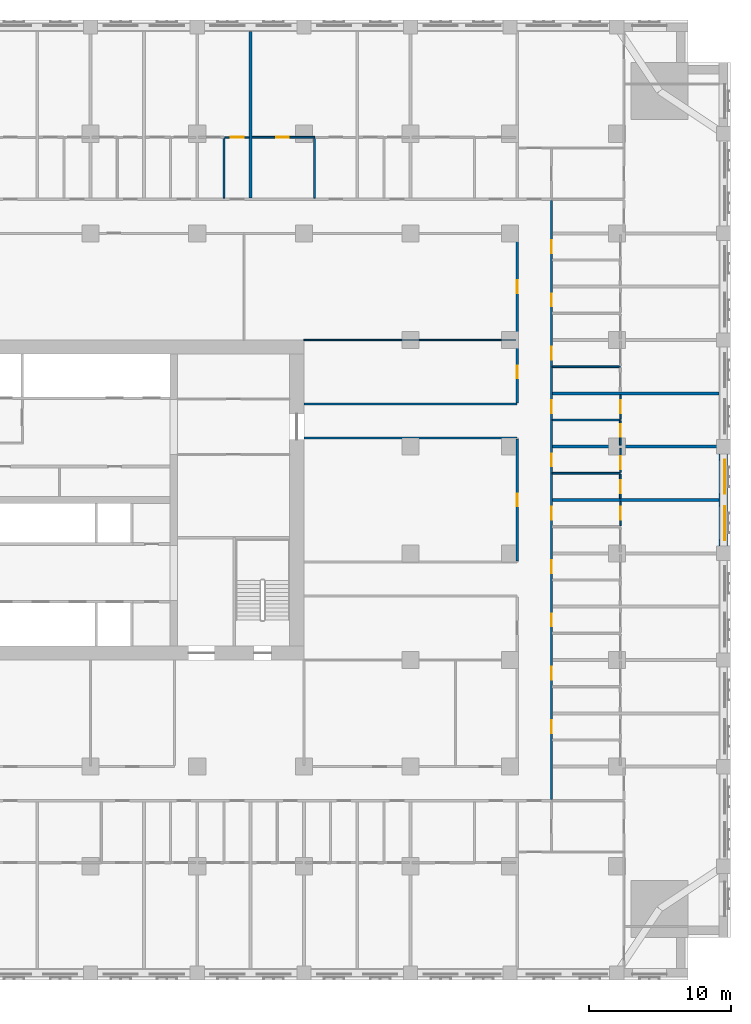
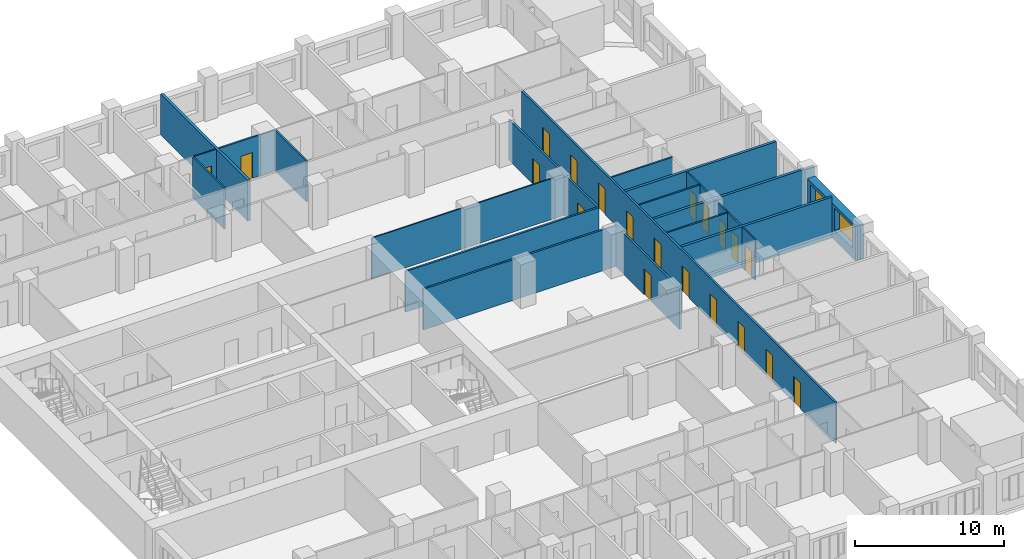
# One storey, part 10 of 15: 23 walls, 20 doors, 2 windows, 22 openings.
"""IFC4 building model written with IfcOpenShell, lengths in metres."""

import ifcopenshell
import ifcopenshell.guid

model = None  # the IFC model being written
_history = None  # IfcOwnerHistory: only IFC2X3 demands one
_inside = {}  # id of a spatial element -> (the spatial element, [elements in it])
_under = {}  # id of a project, library or spatial element -> (it, [spatial elements below it])
_declared = {}  # id of a project -> (the project, [libraries it declares])
_typed = {}  # id of a type object -> (the type object, [elements of that type])
_made_of = {}  # id of a material, layer set ... -> (it, [elements and type objects made of it])


def new_model(schema):
    """Start an empty IFC model of exactly this schema.

    Asked for "IFC4X3", IfcOpenShell would pick the latest addendum, in which some entities
    have other attributes; the version numbers below select the first issue.
    IFC2X3 requires an IfcOwnerHistory on every rooted entity: one is made here for all.
    """
    global model, _history
    if schema == "IFC4X3":
        model = ifcopenshell.file(schema_version=(4, 3, 0, 0))
    else:
        model = ifcopenshell.file(schema=schema)
    _inside.clear()
    _under.clear()
    _declared.clear()
    _typed.clear()
    _made_of.clear()
    _history = None
    if model.schema == "IFC2X3":
        org = make("IfcOrganization", Name="unknown")
        user = make(
            "IfcPersonAndOrganization",
            ThePerson=make("IfcPerson", FamilyName="unknown"),
            TheOrganization=org,
        )
        app = make(
            "IfcApplication",
            ApplicationDeveloper=org,
            Version="unknown",
            ApplicationFullName="unknown",
            ApplicationIdentifier="unknown",
        )
        _history = make(
            "IfcOwnerHistory",
            OwningUser=user,
            OwningApplication=app,
            ChangeAction="ADDED",
            CreationDate=0,
        )
    return model


def make(cls, **values):
    """One entity of the class cls with the attributes given. An attribute that is None is left unset."""
    return model.create_entity(
        cls, **{name: value for name, value in values.items() if value is not None}
    )


def rooted(cls, **values):
    """An entity with a GlobalId (a new one), such as an element, a storey or a relation."""
    return make(cls, GlobalId=ifcopenshell.guid.new(), OwnerHistory=_history, **values)


def si_unit(unit_type, name, prefix=None):
    """IfcSIUnit, for example si_unit("LENGTHUNIT", "METRE", prefix="MILLI")."""
    return make("IfcSIUnit", UnitType=unit_type, Prefix=prefix, Name=name)


def assignment(units):
    """IfcUnitAssignment: the units of a project."""
    return None if units is None else make("IfcUnitAssignment", Units=units)


def point(xyz):
    """IfcCartesianPoint."""
    return None if xyz is None else make("IfcCartesianPoint", Coordinates=xyz)


def direction(xyz):
    """IfcDirection."""
    return None if xyz is None else make("IfcDirection", DirectionRatios=xyz)


def frame(location, z_axis=None, x_axis=None):
    """IfcAxis2Placement3D, a coordinate frame: its origin and axes. An axis left out is left unset."""
    return make(
        "IfcAxis2Placement3D",
        Location=point(location),
        Axis=direction(z_axis),
        RefDirection=direction(x_axis),
    )


def frame_2d(location, x_axis=None):
    """IfcAxis2Placement2D, a coordinate frame in the plane: its origin and x axis."""
    return make(
        "IfcAxis2Placement2D", Location=point(location), RefDirection=direction(x_axis)
    )


def origin():
    """The frame at (0, 0, 0) with its axes left unset."""
    return frame((0.0, 0.0, 0.0))


def place(relative_to, where):
    """IfcLocalPlacement: puts the frame where relative to a parent placement (None: the world)."""
    return make(
        "IfcLocalPlacement", PlacementRelTo=relative_to, RelativePlacement=where
    )


def context(
    kind, dimensions, precision=None, world=None, true_north=None, identifier=None
):
    """IfcGeometricRepresentationContext, for example the 3D "Model" context."""
    return make(
        "IfcGeometricRepresentationContext",
        ContextIdentifier=identifier,
        ContextType=kind,
        CoordinateSpaceDimension=dimensions,
        Precision=precision,
        WorldCoordinateSystem=world,
        TrueNorth=true_north,
    )


def subcontext(parent, identifier, kind, view, scale=None):
    """IfcGeometricRepresentationSubContext, for example "Body" below "Model"."""
    return make(
        "IfcGeometricRepresentationSubContext",
        ContextIdentifier=identifier,
        ContextType=kind,
        ParentContext=parent,
        TargetScale=scale,
        TargetView=view,
    )


def project(units=None, contexts=None):
    """IfcProject with its units and contexts."""
    return rooted(
        "IfcProject",
        Name="project",
        RepresentationContexts=contexts,
        UnitsInContext=assignment(units),
    )


def spatial(cls, under=None, at=None, **own):
    """A site, building, storey or space (cls), placed at a placement, below another one or the project."""
    s = rooted(cls, ObjectPlacement=at, **own)
    if under is not None:
        _under.setdefault(under.id(), (under, []))[1].append(s)
    return s


def profile(cls, at=None, kind="AREA", **sizes):
    """A parametric profile (cls). Its sizes go by their IFC names, for example OverallWidth=200.0."""
    return make(cls, ProfileType=kind, Position=at, **sizes)


def rectangle(**sizes):
    """IfcRectangleProfileDef."""
    return profile("IfcRectangleProfileDef", **sizes)


def extrude(swept, where, along, depth):
    """IfcExtrudedAreaSolid: the profile swept, set in the frame where, extruded along a direction by depth."""
    return make(
        "IfcExtrudedAreaSolid",
        SweptArea=swept,
        Position=where,
        ExtrudedDirection=direction(along),
        Depth=depth,
    )


def shape(context_of_items, identifier, shape_type, items):
    """IfcShapeRepresentation: the items that make up one representation, for example the "Body"."""
    return make(
        "IfcShapeRepresentation",
        ContextOfItems=context_of_items,
        RepresentationIdentifier=identifier,
        RepresentationType=shape_type,
        Items=items,
    )


def material(Name=None, Category=None):
    """IfcMaterial."""
    return make("IfcMaterial", Name=Name, Category=Category)


def layer(
    of_material, thickness, ventilated=None, Name=None, Category=None, Priority=None
):
    """IfcMaterialLayer: one layer of a wall or slab, of a material (None: an air gap)."""
    return make(
        "IfcMaterialLayer",
        Material=of_material,
        LayerThickness=thickness,
        IsVentilated=ventilated,
        Name=Name,
        Category=Category,
        Priority=Priority,
    )


def layer_set(layers, Name=None):
    """IfcMaterialLayerSet."""
    return make("IfcMaterialLayerSet", MaterialLayers=layers, LayerSetName=Name)


def made_of(thing, what):
    """Note that an element or type object is made of a material, layer set ...; save() writes the relation."""
    if what is not None:
        _made_of.setdefault(what.id(), (what, []))[1].append(thing)
    return thing


def type_object(cls, material=None, **own):
    """A type object (cls), such as IfcWallType, which elements share."""
    return made_of(rooted(cls, **own), material)


def element(
    cls,
    number,
    at=None,
    inside=None,
    cuts=None,
    type_object=None,
    material=None,
    context=None,
    identifier="Body",
    shape_type=None,
    held_by="IfcProductDefinitionShape",
    body=None,
    shapes=None,
    **own,
):
    """One element of the class cls, such as IfcWall. Its Tag is "e" and its number.

    at: its placement. inside: the storey or other place that contains it. cuts: it is an
    opening in that element (IfcRelVoidsElement). A single representation is given by context,
    identifier, shape_type and body (its items); several are given by shapes. held_by: the class
    of the entity that holds the representations. save() writes the other relations.
    """
    e = rooted(cls, Tag="e%d" % number, ObjectPlacement=at, **own)
    if body is not None:
        shapes = [shape(context, identifier, shape_type, body)]
    if shapes is not None:
        e.Representation = make(held_by, Representations=shapes)
    if inside is not None:
        _inside.setdefault(inside.id(), (inside, []))[1].append(e)
    if cuts is not None:
        rooted(
            "IfcRelVoidsElement", RelatingBuildingElement=cuts, RelatedOpeningElement=e
        )
    if type_object is not None:
        _typed.setdefault(type_object.id(), (type_object, []))[1].append(e)
    return made_of(e, material)


def fill(opening, filler):
    """IfcRelFillsElement: the door or window that sits in an opening."""
    return rooted(
        "IfcRelFillsElement",
        RelatingOpeningElement=opening,
        RelatedBuildingElement=filler,
    )


def aggregate(whole, parts):
    """IfcRelAggregates: a whole, such as a stair, and the parts it consists of."""
    return rooted("IfcRelAggregates", RelatingObject=whole, RelatedObjects=parts)


def save(model, path):
    """Write the relations noted so far, then the file.

    IfcRelAggregates (storeys below a building ...), IfcRelContainedInSpatialStructure (elements
    in a storey), IfcRelDefinesByType, IfcRelAssociatesMaterial and IfcRelDeclares: one each for
    every whole, place, type object, material and project.
    """
    for whole, parts in _under.values():
        aggregate(whole, parts)
    for where, things in _inside.values():
        rooted(
            "IfcRelContainedInSpatialStructure",
            RelatedElements=things,
            RelatingStructure=where,
        )
    for kind, things in _typed.values():
        rooted("IfcRelDefinesByType", RelatedObjects=things, RelatingType=kind)
    for what, things in _made_of.values():
        rooted("IfcRelAssociatesMaterial", RelatedObjects=things, RelatingMaterial=what)
    for by, libraries in _declared.values():
        rooted("IfcRelDeclares", RelatingContext=by, RelatedDefinitions=libraries)
    model.write(path)


model = new_model("IFC4")

# Units and contexts
model_context = context("Model", 3, precision=1e-05, world=origin(), true_north=direction((0.0, 1.0)))
body_context = subcontext(model_context, "Body", "Model", "MODEL_VIEW")
ifc_project = project(units=[si_unit("LENGTHUNIT", "METRE"), si_unit("AREAUNIT", "SQUARE_METRE"), si_unit("VOLUMEUNIT", "CUBIC_METRE"), si_unit("PLANEANGLEUNIT", "RADIAN"), si_unit("MASSUNIT", "GRAM", prefix="KILO")], contexts=[model_context])

# Site, building, storey
site_placement = place(None, origin())
site = spatial("IfcSite", under=ifc_project, at=site_placement, CompositionType="ELEMENT")
building_placement = place(site_placement, origin())
building = spatial("IfcBuilding", under=site, at=building_placement, Name="Tamorin Gate", CompositionType="ELEMENT")
storey_placement = place(building_placement, frame((0.0, 0.0, 62.800048828125)))
storey = spatial("IfcBuildingStorey", under=building, at=storey_placement, Name="L14", CompositionType="ELEMENT", Elevation=62.800048828125)

# Wall, openings, windows
ifc_material_1 = material(Name="Precast concrete C40/50", Category="concrete")
ifc_layer_1 = layer(ifc_material_1, 0.60009765625)
ifc_layer_set_1 = layer_set([ifc_layer_1], Name="Precast concrete C40/50")
wall_type_1 = type_object("IfcWallType", Name="Board-marked concrete facade panel 600", PredefinedType="SOLIDWALL", material=ifc_layer_set_1)
wall_1_placement = place(storey_placement, frame((89.5, 68.0, 0.0), z_axis=(0.0, 0.0, 1.0), x_axis=(0.0, 1.0, 0.0)))
wall_1 = element("IfcWall", 1, at=wall_1_placement, inside=storey, type_object=wall_type_1, Name="Facade panel", PredefinedType="SOLIDWALL", context=body_context, shape_type="SweptSolid", body=[
    extrude(rectangle(XDim=6.5, YDim=0.60009765625, at=frame_2d((3.25, 0.0))), origin(), (0.0, 0.0, 1.0), 2.849853515625),
])
opening_1_placement = place(wall_1_placement, frame((0.425048828125, 0.0, 0.800048828125)))
opening_1 = element("IfcOpeningElement", 2, at=opening_1_placement, cuts=wall_1, Name="Opening WN1", PredefinedType="OPENING", context=body_context, shape_type="SweptSolid", body=[
    extrude(rectangle(XDim=2.39990234375, YDim=1.800048828125, at=frame_2d((1.199951171875, 0.89990234375))), frame((0.0, 0.31005859375, 0.0), z_axis=(0.0, -1.0, 0.0), x_axis=(1.0, 0.0, 0.0)), (0.0, 0.0, 1.0), 0.6201171875),
])
opening_2_placement = place(wall_1_placement, frame((3.675048828125, 0.0, 0.800048828125)))
opening_2 = element("IfcOpeningElement", 3, at=opening_2_placement, cuts=wall_1, Name="Opening WN1", PredefinedType="OPENING", context=body_context, shape_type="SweptSolid", body=[
    extrude(rectangle(XDim=2.39990234375, YDim=1.800048828125, at=frame_2d((1.199951171875, 0.89990234375))), frame((0.0, 0.31005859375, 0.0), z_axis=(0.0, -1.0, 0.0), x_axis=(1.0, 0.0, 0.0)), (0.0, 0.0, 1.0), 0.6201171875),
])
ifc_material_2 = material(Name="Clear glass in aluminium frame", Category="aluminium")
window_type = type_object("IfcWindowType", Name="Deep-set window 2400x1800", PartitioningType="SINGLE_PANEL", PredefinedType="WINDOW", material=ifc_material_2)
window_1_placement = place(opening_1_placement, origin())
window_1 = element("IfcWindow", 4, at=window_1_placement, inside=storey, type_object=window_type, Name="Deep-set window", OverallHeight=1.800048828125, OverallWidth=2.39990234375, PartitioningType="SINGLE_PANEL", PredefinedType="WINDOW", context=body_context, shape_type="SweptSolid", body=[
    extrude(rectangle(XDim=2.39990234375, YDim=1.800048828125, at=frame_2d((1.199951171875, 0.89990234375))), frame((0.0, -0.070068359375, 0.0), z_axis=(0.0, -1.0, 0.0), x_axis=(1.0, 0.0, 0.0)), (0.0, 0.0, 1.0), 0.06005859375),
])
fill(opening_1, window_1)
window_2_placement = place(opening_2_placement, origin())
window_2 = element("IfcWindow", 5, at=window_2_placement, inside=storey, type_object=window_type, Name="Deep-set window", OverallHeight=1.800048828125, OverallWidth=2.39990234375, PartitioningType="SINGLE_PANEL", PredefinedType="WINDOW", context=body_context, shape_type="SweptSolid", body=[
    extrude(rectangle(XDim=2.39990234375, YDim=1.800048828125, at=frame_2d((1.199951171875, 0.89990234375))), frame((0.0, -0.070068359375, 0.0), z_axis=(0.0, -1.0, 0.0), x_axis=(1.0, 0.0, 0.0)), (0.0, 0.0, 1.0), 0.06005859375),
])
fill(opening_2, window_2)

# Wall, opening, door
ifc_material_3 = material(Name="Gypsum board partition")
ifc_layer_2 = layer(ifc_material_3, 0.14990234375)
ifc_layer_set_2 = layer_set([ifc_layer_2], Name="Corridor wall 150")
wall_type_2 = type_object("IfcWallType", Name="Corridor wall 150", PredefinedType="PARTITIONING", material=ifc_layer_set_2)
wall_2_placement = place(storey_placement, frame((75.0, 66.97509765625, 0.0), z_axis=(0.0, 0.0, 1.0), x_axis=(0.0, 1.0, 0.0)))
wall_2 = element("IfcWall", 6, at=wall_2_placement, inside=storey, type_object=wall_type_2, Name="Corridor wall 150", PredefinedType="PARTITIONING", context=body_context, shape_type="SweptSolid", body=[
    extrude(rectangle(XDim=8.5498046875, YDim=0.14990234375, at=frame_2d((4.27490234375, 0.0))), origin(), (0.0, 0.0, 1.0), 3.349853515625),
])
opening_3_placement = place(wall_2_placement, frame((3.824951171875, 0.0, 0.0)))
opening_3 = element("IfcOpeningElement", 7, at=opening_3_placement, cuts=wall_2, Name="Opening DH1101", PredefinedType="OPENING", context=body_context, shape_type="SweptSolid", body=[
    extrude(rectangle(XDim=0.89990234375, YDim=2.10009765625, at=frame_2d((0.449951171875, 1.050048828125))), frame((0.0, 0.0849609375, 0.0), z_axis=(0.0, -1.0, 0.0), x_axis=(1.0, 0.0, 0.0)), (0.0, 0.0, 1.0), 0.169921875),
])
ifc_material_4 = material(Name="Timber door leaf", Category="wood")
door_type_1 = type_object("IfcDoorType", Name="Door 900 x 2100 FD30S", OperationType="NOTDEFINED", PredefinedType="DOOR", material=ifc_material_4)
door_1_placement = place(opening_3_placement, origin())
door_1 = element("IfcDoor", 8, at=door_1_placement, inside=storey, type_object=door_type_1, Name="Door DH1101", OperationType="SINGLE_SWING_LEFT", OverallHeight=2.10009765625, OverallWidth=0.89990234375, PredefinedType="DOOR", context=body_context, shape_type="SweptSolid", body=[
    extrude(rectangle(XDim=0.89990234375, YDim=2.10009765625, at=frame_2d((0.449951171875, 1.050048828125))), frame((0.0, 0.02490234375, 0.0), z_axis=(0.0, -1.0, 0.0), x_axis=(1.0, 0.0, 0.0)), (0.0, 0.0, 1.0), 0.050048828125),
])
fill(opening_3, door_1)

# Wall, openings, doors
wall_3_placement = place(storey_placement, frame((75.0, 78.074951171875, 0.0), z_axis=(0.0, 0.0, 1.0), x_axis=(0.0, 1.0, 0.0)))
wall_3 = element("IfcWall", 9, at=wall_3_placement, inside=storey, type_object=wall_type_2, Name="Corridor wall 150", PredefinedType="PARTITIONING", context=body_context, shape_type="SweptSolid", body=[
    extrude(rectangle(XDim=11.85009765625, YDim=0.14990234375, at=frame_2d((5.925048828125, 0.0))), origin(), (0.0, 0.0, 1.0), 3.349853515625),
])
opening_4_placement = place(wall_3_placement, frame((7.72509765625, 0.0, 0.0)))
opening_4 = element("IfcOpeningElement", 10, at=opening_4_placement, cuts=wall_3, Name="Opening DH1099", PredefinedType="OPENING", context=body_context, shape_type="SweptSolid", body=[
    extrude(rectangle(XDim=0.89990234375, YDim=2.10009765625, at=frame_2d((0.449951171875, 1.050048828125))), frame((0.0, 0.0849609375, 0.0), z_axis=(0.0, -1.0, 0.0), x_axis=(1.0, 0.0, 0.0)), (0.0, 0.0, 1.0), 0.169921875),
])
opening_5_placement = place(wall_3_placement, frame((1.72509765625, 0.0, 0.0)))
opening_5 = element("IfcOpeningElement", 11, at=opening_5_placement, cuts=wall_3, Name="Opening DH1102", PredefinedType="OPENING", context=body_context, shape_type="SweptSolid", body=[
    extrude(rectangle(XDim=0.89990234375, YDim=2.10009765625, at=frame_2d((0.449951171875, 1.050048828125))), frame((0.0, 0.0849609375, 0.0), z_axis=(0.0, -1.0, 0.0), x_axis=(1.0, 0.0, 0.0)), (0.0, 0.0, 1.0), 0.169921875),
])
door_2_placement = place(opening_4_placement, origin())
door_2 = element("IfcDoor", 12, at=door_2_placement, inside=storey, type_object=door_type_1, Name="Door DH1099", OperationType="SINGLE_SWING_LEFT", OverallHeight=2.10009765625, OverallWidth=0.89990234375, PredefinedType="DOOR", context=body_context, shape_type="SweptSolid", body=[
    extrude(rectangle(XDim=0.89990234375, YDim=2.10009765625, at=frame_2d((0.449951171875, 1.050048828125))), frame((0.0, 0.02490234375, 0.0), z_axis=(0.0, -1.0, 0.0), x_axis=(1.0, 0.0, 0.0)), (0.0, 0.0, 1.0), 0.050048828125),
])
fill(opening_4, door_2)
door_3_placement = place(opening_5_placement, origin())
door_3 = element("IfcDoor", 13, at=door_3_placement, inside=storey, type_object=door_type_1, Name="Door DH1102", OperationType="SINGLE_SWING_LEFT", OverallHeight=2.10009765625, OverallWidth=0.89990234375, PredefinedType="DOOR", context=body_context, shape_type="SweptSolid", body=[
    extrude(rectangle(XDim=0.89990234375, YDim=2.10009765625, at=frame_2d((0.449951171875, 1.050048828125))), frame((0.0, 0.02490234375, 0.0), z_axis=(0.0, -1.0, 0.0), x_axis=(1.0, 0.0, 0.0)), (0.0, 0.0, 1.0), 0.050048828125),
])
fill(opening_5, door_3)

wall_4_placement = place(storey_placement, frame((77.39990234375, 50.175048828125, 0.0), z_axis=(0.0, 0.0, 1.0), x_axis=(0.0, 1.0, 0.0)))
wall_4 = element("IfcWall", 14, at=wall_4_placement, inside=storey, type_object=wall_type_2, Name="Corridor wall 150", PredefinedType="PARTITIONING", context=body_context, shape_type="SweptSolid", body=[
    extrude(rectangle(XDim=42.14990234375, YDim=0.14990234375, at=frame_2d((21.074951171875, 0.0))), origin(), (0.0, 0.0, 1.0), 3.349853515625),
])
opening_6_placement = place(wall_4_placement, frame((4.6875, 0.0, 0.0)))
opening_6 = element("IfcOpeningElement", 15, at=opening_6_placement, cuts=wall_4, Name="Opening DH1052", PredefinedType="OPENING", context=body_context, shape_type="SweptSolid", body=[
    extrude(rectangle(XDim=0.89990234375, YDim=2.10009765625, at=frame_2d((0.449951171875, 1.050048828125))), frame((0.0, 0.0849609375, 0.0), z_axis=(0.0, -1.0, 0.0), x_axis=(1.0, 0.0, 0.0)), (0.0, 0.0, 1.0), 0.169921875),
])
opening_7_placement = place(wall_4_placement, frame((8.4375, 0.0, 0.0)))
opening_7 = element("IfcOpeningElement", 16, at=opening_7_placement, cuts=wall_4, Name="Opening DH1055", PredefinedType="OPENING", context=body_context, shape_type="SweptSolid", body=[
    extrude(rectangle(XDim=0.89990234375, YDim=2.10009765625, at=frame_2d((0.449951171875, 1.050048828125))), frame((0.0, 0.0849609375, 0.0), z_axis=(0.0, -1.0, 0.0), x_axis=(1.0, 0.0, 0.0)), (0.0, 0.0, 1.0), 0.169921875),
])
opening_8_placement = place(wall_4_placement, frame((12.1875, 0.0, 0.0)))
opening_8 = element("IfcOpeningElement", 17, at=opening_8_placement, cuts=wall_4, Name="Opening DH1058", PredefinedType="OPENING", context=body_context, shape_type="SweptSolid", body=[
    extrude(rectangle(XDim=0.89990234375, YDim=2.10009765625, at=frame_2d((0.449951171875, 1.050048828125))), frame((0.0, 0.0849609375, 0.0), z_axis=(0.0, -1.0, 0.0), x_axis=(1.0, 0.0, 0.0)), (0.0, 0.0, 1.0), 0.169921875),
])
opening_9_placement = place(wall_4_placement, frame((15.9375, 0.0, 0.0)))
opening_9 = element("IfcOpeningElement", 18, at=opening_9_placement, cuts=wall_4, Name="Opening DH1061", PredefinedType="OPENING", context=body_context, shape_type="SweptSolid", body=[
    extrude(rectangle(XDim=0.89990234375, YDim=2.10009765625, at=frame_2d((0.449951171875, 1.050048828125))), frame((0.0, 0.0849609375, 0.0), z_axis=(0.0, -1.0, 0.0), x_axis=(1.0, 0.0, 0.0)), (0.0, 0.0, 1.0), 0.169921875),
])
opening_10_placement = place(wall_4_placement, frame((19.6875, 0.0, 0.0)))
opening_10 = element("IfcOpeningElement", 19, at=opening_10_placement, cuts=wall_4, Name="Opening DH1064", PredefinedType="OPENING", context=body_context, shape_type="SweptSolid", body=[
    extrude(rectangle(XDim=0.89990234375, YDim=2.10009765625, at=frame_2d((0.449951171875, 1.050048828125))), frame((0.0, 0.0849609375, 0.0), z_axis=(0.0, -1.0, 0.0), x_axis=(1.0, 0.0, 0.0)), (0.0, 0.0, 1.0), 0.169921875),
])
opening_11_placement = place(wall_4_placement, frame((23.4375, 0.0, 0.0)))
opening_11 = element("IfcOpeningElement", 20, at=opening_11_placement, cuts=wall_4, Name="Opening DH1067", PredefinedType="OPENING", context=body_context, shape_type="SweptSolid", body=[
    extrude(rectangle(XDim=0.89990234375, YDim=2.10009765625, at=frame_2d((0.449951171875, 1.050048828125))), frame((0.0, 0.0849609375, 0.0), z_axis=(0.0, -1.0, 0.0), x_axis=(1.0, 0.0, 0.0)), (0.0, 0.0, 1.0), 0.169921875),
])
opening_12_placement = place(wall_4_placement, frame((27.1875, 0.0, 0.0)))
opening_12 = element("IfcOpeningElement", 21, at=opening_12_placement, cuts=wall_4, Name="Opening DH1070", PredefinedType="OPENING", context=body_context, shape_type="SweptSolid", body=[
    extrude(rectangle(XDim=0.89990234375, YDim=2.10009765625, at=frame_2d((0.449951171875, 1.050048828125))), frame((0.0, 0.0849609375, 0.0), z_axis=(0.0, -1.0, 0.0), x_axis=(1.0, 0.0, 0.0)), (0.0, 0.0, 1.0), 0.169921875),
])
opening_13_placement = place(wall_4_placement, frame((30.9375, 0.0, 0.0)))
opening_13 = element("IfcOpeningElement", 22, at=opening_13_placement, cuts=wall_4, Name="Opening DH1073", PredefinedType="OPENING", context=body_context, shape_type="SweptSolid", body=[
    extrude(rectangle(XDim=0.89990234375, YDim=2.10009765625, at=frame_2d((0.449951171875, 1.050048828125))), frame((0.0, 0.0849609375, 0.0), z_axis=(0.0, -1.0, 0.0), x_axis=(1.0, 0.0, 0.0)), (0.0, 0.0, 1.0), 0.169921875),
])
opening_14_placement = place(wall_4_placement, frame((34.6875, 0.0, 0.0)))
opening_14 = element("IfcOpeningElement", 23, at=opening_14_placement, cuts=wall_4, Name="Opening DH1076", PredefinedType="OPENING", context=body_context, shape_type="SweptSolid", body=[
    extrude(rectangle(XDim=0.89990234375, YDim=2.10009765625, at=frame_2d((0.449951171875, 1.050048828125))), frame((0.0, 0.0849609375, 0.0), z_axis=(0.0, -1.0, 0.0), x_axis=(1.0, 0.0, 0.0)), (0.0, 0.0, 1.0), 0.169921875),
])
opening_15_placement = place(wall_4_placement, frame((38.4375, 0.0, 0.0)))
opening_15 = element("IfcOpeningElement", 24, at=opening_15_placement, cuts=wall_4, Name="Opening DH1079", PredefinedType="OPENING", context=body_context, shape_type="SweptSolid", body=[
    extrude(rectangle(XDim=0.89990234375, YDim=2.10009765625, at=frame_2d((0.449951171875, 1.050048828125))), frame((0.0, 0.0849609375, 0.0), z_axis=(0.0, -1.0, 0.0), x_axis=(1.0, 0.0, 0.0)), (0.0, 0.0, 1.0), 0.169921875),
])
door_4_placement = place(opening_6_placement, origin())
door_4 = element("IfcDoor", 25, at=door_4_placement, inside=storey, type_object=door_type_1, Name="Door DH1052", OperationType="SINGLE_SWING_RIGHT", OverallHeight=2.10009765625, OverallWidth=0.89990234375, PredefinedType="DOOR", context=body_context, shape_type="SweptSolid", body=[
    extrude(rectangle(XDim=0.89990234375, YDim=2.10009765625, at=frame_2d((0.449951171875, 1.050048828125))), frame((0.0, 0.02490234375, 0.0), z_axis=(0.0, -1.0, 0.0), x_axis=(1.0, 0.0, 0.0)), (0.0, 0.0, 1.0), 0.050048828125),
])
fill(opening_6, door_4)
door_5_placement = place(opening_7_placement, origin())
door_5 = element("IfcDoor", 26, at=door_5_placement, inside=storey, type_object=door_type_1, Name="Door DH1055", OperationType="SINGLE_SWING_RIGHT", OverallHeight=2.10009765625, OverallWidth=0.89990234375, PredefinedType="DOOR", context=body_context, shape_type="SweptSolid", body=[
    extrude(rectangle(XDim=0.89990234375, YDim=2.10009765625, at=frame_2d((0.449951171875, 1.050048828125))), frame((0.0, 0.02490234375, 0.0), z_axis=(0.0, -1.0, 0.0), x_axis=(1.0, 0.0, 0.0)), (0.0, 0.0, 1.0), 0.050048828125),
])
fill(opening_7, door_5)
door_6_placement = place(opening_8_placement, origin())
door_6 = element("IfcDoor", 27, at=door_6_placement, inside=storey, type_object=door_type_1, Name="Door DH1058", OperationType="SINGLE_SWING_RIGHT", OverallHeight=2.10009765625, OverallWidth=0.89990234375, PredefinedType="DOOR", context=body_context, shape_type="SweptSolid", body=[
    extrude(rectangle(XDim=0.89990234375, YDim=2.10009765625, at=frame_2d((0.449951171875, 1.050048828125))), frame((0.0, 0.02490234375, 0.0), z_axis=(0.0, -1.0, 0.0), x_axis=(1.0, 0.0, 0.0)), (0.0, 0.0, 1.0), 0.050048828125),
])
fill(opening_8, door_6)
door_7_placement = place(opening_9_placement, origin())
door_7 = element("IfcDoor", 28, at=door_7_placement, inside=storey, type_object=door_type_1, Name="Door DH1061", OperationType="SINGLE_SWING_RIGHT", OverallHeight=2.10009765625, OverallWidth=0.89990234375, PredefinedType="DOOR", context=body_context, shape_type="SweptSolid", body=[
    extrude(rectangle(XDim=0.89990234375, YDim=2.10009765625, at=frame_2d((0.449951171875, 1.050048828125))), frame((0.0, 0.02490234375, 0.0), z_axis=(0.0, -1.0, 0.0), x_axis=(1.0, 0.0, 0.0)), (0.0, 0.0, 1.0), 0.050048828125),
])
fill(opening_9, door_7)
door_8_placement = place(opening_10_placement, origin())
door_8 = element("IfcDoor", 29, at=door_8_placement, inside=storey, type_object=door_type_1, Name="Door DH1064", OperationType="SINGLE_SWING_RIGHT", OverallHeight=2.10009765625, OverallWidth=0.89990234375, PredefinedType="DOOR", context=body_context, shape_type="SweptSolid", body=[
    extrude(rectangle(XDim=0.89990234375, YDim=2.10009765625, at=frame_2d((0.449951171875, 1.050048828125))), frame((0.0, 0.02490234375, 0.0), z_axis=(0.0, -1.0, 0.0), x_axis=(1.0, 0.0, 0.0)), (0.0, 0.0, 1.0), 0.050048828125),
])
fill(opening_10, door_8)
door_9_placement = place(opening_11_placement, origin())
door_9 = element("IfcDoor", 30, at=door_9_placement, inside=storey, type_object=door_type_1, Name="Door DH1067", OperationType="SINGLE_SWING_RIGHT", OverallHeight=2.10009765625, OverallWidth=0.89990234375, PredefinedType="DOOR", context=body_context, shape_type="SweptSolid", body=[
    extrude(rectangle(XDim=0.89990234375, YDim=2.10009765625, at=frame_2d((0.449951171875, 1.050048828125))), frame((0.0, 0.02490234375, 0.0), z_axis=(0.0, -1.0, 0.0), x_axis=(1.0, 0.0, 0.0)), (0.0, 0.0, 1.0), 0.050048828125),
])
fill(opening_11, door_9)
door_10_placement = place(opening_12_placement, origin())
door_10 = element("IfcDoor", 31, at=door_10_placement, inside=storey, type_object=door_type_1, Name="Door DH1070", OperationType="SINGLE_SWING_RIGHT", OverallHeight=2.10009765625, OverallWidth=0.89990234375, PredefinedType="DOOR", context=body_context, shape_type="SweptSolid", body=[
    extrude(rectangle(XDim=0.89990234375, YDim=2.10009765625, at=frame_2d((0.449951171875, 1.050048828125))), frame((0.0, 0.02490234375, 0.0), z_axis=(0.0, -1.0, 0.0), x_axis=(1.0, 0.0, 0.0)), (0.0, 0.0, 1.0), 0.050048828125),
])
fill(opening_12, door_10)
door_11_placement = place(opening_13_placement, origin())
door_11 = element("IfcDoor", 32, at=door_11_placement, inside=storey, type_object=door_type_1, Name="Door DH1073", OperationType="SINGLE_SWING_RIGHT", OverallHeight=2.10009765625, OverallWidth=0.89990234375, PredefinedType="DOOR", context=body_context, shape_type="SweptSolid", body=[
    extrude(rectangle(XDim=0.89990234375, YDim=2.10009765625, at=frame_2d((0.449951171875, 1.050048828125))), frame((0.0, 0.02490234375, 0.0), z_axis=(0.0, -1.0, 0.0), x_axis=(1.0, 0.0, 0.0)), (0.0, 0.0, 1.0), 0.050048828125),
])
fill(opening_13, door_11)
door_12_placement = place(opening_14_placement, origin())
door_12 = element("IfcDoor", 33, at=door_12_placement, inside=storey, type_object=door_type_1, Name="Door DH1076", OperationType="SINGLE_SWING_RIGHT", OverallHeight=2.10009765625, OverallWidth=0.89990234375, PredefinedType="DOOR", context=body_context, shape_type="SweptSolid", body=[
    extrude(rectangle(XDim=0.89990234375, YDim=2.10009765625, at=frame_2d((0.449951171875, 1.050048828125))), frame((0.0, 0.02490234375, 0.0), z_axis=(0.0, -1.0, 0.0), x_axis=(1.0, 0.0, 0.0)), (0.0, 0.0, 1.0), 0.050048828125),
])
fill(opening_14, door_12)
door_13_placement = place(opening_15_placement, origin())
door_13 = element("IfcDoor", 34, at=door_13_placement, inside=storey, type_object=door_type_1, Name="Door DH1079", OperationType="SINGLE_SWING_RIGHT", OverallHeight=2.10009765625, OverallWidth=0.89990234375, PredefinedType="DOOR", context=body_context, shape_type="SweptSolid", body=[
    extrude(rectangle(XDim=0.89990234375, YDim=2.10009765625, at=frame_2d((0.449951171875, 1.050048828125))), frame((0.0, 0.02490234375, 0.0), z_axis=(0.0, -1.0, 0.0), x_axis=(1.0, 0.0, 0.0)), (0.0, 0.0, 1.0), 0.050048828125),
])
fill(opening_15, door_13)

# Walls
ifc_layer_3 = layer(ifc_material_3, 0.199951171875)
ifc_layer_set_3 = layer_set([ifc_layer_3], Name="Demising wall 200")
wall_type_3 = type_object("IfcWallType", Name="Demising wall 200", PredefinedType="PARTITIONING", material=ifc_layer_set_3)
wall_5_placement = place(storey_placement, frame((77.47509765625, 71.25, 0.0), z_axis=(0.0, 0.0, 1.0), x_axis=(1.0, 0.0, 0.0)))
element("IfcWall", 35, at=wall_5_placement, inside=storey, type_object=wall_type_3, Name="Demising wall 200", PredefinedType="PARTITIONING", context=body_context, shape_type="SweptSolid", body=[
    extrude(rectangle(XDim=11.71484375, YDim=0.199951171875, at=frame_2d((5.857421875, 0.0))), origin(), (0.0, 0.0, 1.0), 3.349853515625),
])
wall_6_placement = place(storey_placement, frame((77.47509765625, 75.0, 0.0), z_axis=(0.0, 0.0, 1.0), x_axis=(1.0, 0.0, 0.0)))
element("IfcWall", 36, at=wall_6_placement, inside=storey, type_object=wall_type_3, Name="Demising wall 200", PredefinedType="PARTITIONING", context=body_context, shape_type="SweptSolid", body=[
    extrude(rectangle(XDim=12.52490234375, YDim=0.199951171875, at=frame_2d((6.262451171875, 0.0))), origin(), (0.0, 0.0, 1.0), 3.349853515625),
])
for number, where, z_axis, x_axis, name in (
    (37, (77.47509765625, 78.75, 0.0), (0.0, 0.0, 1.0), (1.0, 0.0, 0.0), "Demising wall 200"),
    (38, (56.25, 92.47509765625, 0.0), (0.0, 0.0, 1.0), (0.0, 1.0, 0.0), "Demising wall 200"),
):
    element("IfcWall", number, at=place(storey_placement, frame(where, z_axis=z_axis, x_axis=x_axis)), inside=storey, type_object=wall_type_3, Name=name, PredefinedType="PARTITIONING", context=body_context, shape_type="SweptSolid", body=[
        extrude(rectangle(XDim=11.71484375, YDim=0.199951171875, at=frame_2d((5.857421875, 0.0))), origin(), (0.0, 0.0, 1.0), 3.349853515625),
    ])
ifc_layer_4 = layer(ifc_material_3, 0.14990234375)
ifc_layer_set_4 = layer_set([ifc_layer_4], Name="Lobby wall 150")
wall_type_4 = type_object("IfcWallType", Name="Lobby wall 150", PredefinedType="PARTITIONING", material=ifc_layer_set_4)
for number, where, z_axis, x_axis, name in (
    (39, (60.0, 75.60009765625, 0.0), (0.0, 0.0, 1.0), (1.0, 0.0, 0.0), "Lobby wall 150"),
    (40, (60.0, 78.0, 0.0), (0.0, 0.0, 1.0), (1.0, 0.0, 0.0), "Lobby wall 150"),
):
    element("IfcWall", number, at=place(storey_placement, frame(where, z_axis=z_axis, x_axis=x_axis)), inside=storey, type_object=wall_type_4, Name=name, PredefinedType="PARTITIONING", context=body_context, shape_type="SweptSolid", body=[
        extrude(rectangle(XDim=15.0, YDim=0.14990234375, at=frame_2d((7.5, 0.0))), origin(), (0.0, 0.0, 1.0), 3.349853515625),
    ])
ifc_layer_5 = layer(ifc_material_3, 0.10009765625)
ifc_layer_set_5 = layer_set([ifc_layer_5], Name="Room partition 100")
wall_type_5 = type_object("IfcWallType", Name="Room partition 100", PredefinedType="PARTITIONING", material=ifc_layer_set_5)
wall_7_placement = place(storey_placement, frame((60.0, 82.5, 0.0), z_axis=(0.0, 0.0, 1.0), x_axis=(1.0, 0.0, 0.0)))
element("IfcWall", 41, at=wall_7_placement, inside=storey, type_object=wall_type_5, Name="Room partition 100", PredefinedType="PARTITIONING", context=body_context, shape_type="SweptSolid", body=[
    extrude(rectangle(XDim=14.925048828125, YDim=0.10009765625, at=frame_2d((7.46240234375, 0.0))), origin(), (0.0, 0.0, 1.0), 3.349853515625),
])

# Wall, opening, door
wall_8_placement = place(storey_placement, frame((54.4375, 96.75, 0.0), z_axis=(0.0, 0.0, 1.0), x_axis=(1.0, 0.0, 0.0)))
wall_8 = element("IfcWall", 42, at=wall_8_placement, inside=storey, type_object=wall_type_5, Name="Room partition 100", PredefinedType="PARTITIONING", context=body_context, shape_type="SweptSolid", body=[
    extrude(rectangle(XDim=1.71240234375, YDim=0.10009765625, at=frame_2d((0.856201171875, 0.0))), origin(), (0.0, 0.0, 1.0), 3.349853515625),
])
opening_16_placement = place(wall_8_placement, frame((0.425048828125, 0.0, 0.0)))
opening_16 = element("IfcOpeningElement", 43, at=opening_16_placement, cuts=wall_8, Name="Opening DH1041", PredefinedType="OPENING", context=body_context, shape_type="SweptSolid", body=[
    extrude(rectangle(XDim=0.89990234375, YDim=2.10009765625, at=frame_2d((0.449951171875, 1.050048828125))), frame((0.0, 0.06005859375, 0.0), z_axis=(0.0, -1.0, 0.0), x_axis=(1.0, 0.0, 0.0)), (0.0, 0.0, 1.0), 0.1201171875),
])
door_type_2 = type_object("IfcDoorType", Name="Door 900 x 2100", OperationType="NOTDEFINED", PredefinedType="DOOR", material=ifc_material_4)
door_14_placement = place(opening_16_placement, origin())
door_14 = element("IfcDoor", 44, at=door_14_placement, inside=storey, type_object=door_type_2, Name="Door DH1041", OperationType="SINGLE_SWING_RIGHT", OverallHeight=2.10009765625, OverallWidth=0.89990234375, PredefinedType="DOOR", context=body_context, shape_type="SweptSolid", body=[
    extrude(rectangle(XDim=0.89990234375, YDim=2.10009765625, at=frame_2d((0.449951171875, 1.050048828125))), frame((0.0, 0.02490234375, 0.0), z_axis=(0.0, -1.0, 0.0), x_axis=(1.0, 0.0, 0.0)), (0.0, 0.0, 1.0), 0.050048828125),
])
fill(opening_16, door_14)

wall_9_placement = place(storey_placement, frame((82.25, 69.4375, 0.0), z_axis=(0.0, 0.0, 1.0), x_axis=(0.0, 1.0, 0.0)))
wall_9 = element("IfcWall", 45, at=wall_9_placement, inside=storey, type_object=wall_type_5, Name="Room partition 100", PredefinedType="PARTITIONING", context=body_context, shape_type="SweptSolid", body=[
    extrude(rectangle(XDim=1.71240234375, YDim=0.10009765625, at=frame_2d((0.856201171875, 0.0))), origin(), (0.0, 0.0, 1.0), 3.349853515625),
])
opening_17_placement = place(wall_9_placement, frame((0.425048828125, 0.0, 0.0)))
opening_17 = element("IfcOpeningElement", 46, at=opening_17_placement, cuts=wall_9, Name="Opening DH1065", PredefinedType="OPENING", context=body_context, shape_type="SweptSolid", body=[
    extrude(rectangle(XDim=0.89990234375, YDim=2.10009765625, at=frame_2d((0.449951171875, 1.050048828125))), frame((0.0, 0.06005859375, 0.0), z_axis=(0.0, -1.0, 0.0), x_axis=(1.0, 0.0, 0.0)), (0.0, 0.0, 1.0), 0.1201171875),
])
door_15_placement = place(opening_17_placement, origin())
door_15 = element("IfcDoor", 47, at=door_15_placement, inside=storey, type_object=door_type_2, Name="Door DH1065", OperationType="SINGLE_SWING_LEFT", OverallHeight=2.10009765625, OverallWidth=0.89990234375, PredefinedType="DOOR", context=body_context, shape_type="SweptSolid", body=[
    extrude(rectangle(XDim=0.89990234375, YDim=2.10009765625, at=frame_2d((0.449951171875, 1.050048828125))), frame((0.0, 0.02490234375, 0.0), z_axis=(0.0, -1.0, 0.0), x_axis=(1.0, 0.0, 0.0)), (0.0, 0.0, 1.0), 0.050048828125),
])
fill(opening_17, door_15)

wall_10_placement = place(storey_placement, frame((82.25, 73.1875, 0.0), z_axis=(0.0, 0.0, 1.0), x_axis=(0.0, 1.0, 0.0)))
wall_10 = element("IfcWall", 48, at=wall_10_placement, inside=storey, type_object=wall_type_5, Name="Room partition 100", PredefinedType="PARTITIONING", context=body_context, shape_type="SweptSolid", body=[
    extrude(rectangle(XDim=1.71240234375, YDim=0.10009765625, at=frame_2d((0.856201171875, 0.0))), origin(), (0.0, 0.0, 1.0), 3.349853515625),
])
opening_18_placement = place(wall_10_placement, frame((0.22509765625, 0.0, 0.0)))
opening_18 = element("IfcOpeningElement", 49, at=opening_18_placement, cuts=wall_10, Name="Opening DH1068", PredefinedType="OPENING", context=body_context, shape_type="SweptSolid", body=[
    extrude(rectangle(XDim=0.89990234375, YDim=2.10009765625, at=frame_2d((0.449951171875, 1.050048828125))), frame((0.0, 0.06005859375, 0.0), z_axis=(0.0, -1.0, 0.0), x_axis=(1.0, 0.0, 0.0)), (0.0, 0.0, 1.0), 0.1201171875),
])
door_16_placement = place(opening_18_placement, origin())
door_16 = element("IfcDoor", 50, at=door_16_placement, inside=storey, type_object=door_type_2, Name="Door DH1068", OperationType="SINGLE_SWING_LEFT", OverallHeight=2.10009765625, OverallWidth=0.89990234375, PredefinedType="DOOR", context=body_context, shape_type="SweptSolid", body=[
    extrude(rectangle(XDim=0.89990234375, YDim=2.10009765625, at=frame_2d((0.449951171875, 1.050048828125))), frame((0.0, 0.02490234375, 0.0), z_axis=(0.0, -1.0, 0.0), x_axis=(1.0, 0.0, 0.0)), (0.0, 0.0, 1.0), 0.050048828125),
])
fill(opening_18, door_16)

wall_11_placement = place(storey_placement, frame((82.25, 76.9375, 0.0), z_axis=(0.0, 0.0, 1.0), x_axis=(0.0, 1.0, 0.0)))
wall_11 = element("IfcWall", 51, at=wall_11_placement, inside=storey, type_object=wall_type_5, Name="Room partition 100", PredefinedType="PARTITIONING", context=body_context, shape_type="SweptSolid", body=[
    extrude(rectangle(XDim=1.71240234375, YDim=0.10009765625, at=frame_2d((0.856201171875, 0.0))), origin(), (0.0, 0.0, 1.0), 3.349853515625),
])
opening_19_placement = place(wall_11_placement, frame((0.425048828125, 0.0, 0.0)))
opening_19 = element("IfcOpeningElement", 52, at=opening_19_placement, cuts=wall_11, Name="Opening DH1071", PredefinedType="OPENING", context=body_context, shape_type="SweptSolid", body=[
    extrude(rectangle(XDim=0.89990234375, YDim=2.10009765625, at=frame_2d((0.449951171875, 1.050048828125))), frame((0.0, 0.06005859375, 0.0), z_axis=(0.0, -1.0, 0.0), x_axis=(1.0, 0.0, 0.0)), (0.0, 0.0, 1.0), 0.1201171875),
])
door_17_placement = place(opening_19_placement, origin())
door_17 = element("IfcDoor", 53, at=door_17_placement, inside=storey, type_object=door_type_2, Name="Door DH1071", OperationType="SINGLE_SWING_LEFT", OverallHeight=2.10009765625, OverallWidth=0.89990234375, PredefinedType="DOOR", context=body_context, shape_type="SweptSolid", body=[
    extrude(rectangle(XDim=0.89990234375, YDim=2.10009765625, at=frame_2d((0.449951171875, 1.050048828125))), frame((0.0, 0.02490234375, 0.0), z_axis=(0.0, -1.0, 0.0), x_axis=(1.0, 0.0, 0.0)), (0.0, 0.0, 1.0), 0.050048828125),
])
fill(opening_19, door_17)

# Walls
ifc_layer_6 = layer(ifc_material_3, 0.125)
ifc_layer_set_6 = layer_set([ifc_layer_6], Name="Wet wall 125")
wall_type_6 = type_object("IfcWallType", Name="Wet wall 125", PredefinedType="PARTITIONING", material=ifc_layer_set_6)
for number, where, z_axis, x_axis, name in (
    (54, (77.47509765625, 73.125, 0.0), (0.0, 0.0, 1.0), (1.0, 0.0, 0.0), "Wet wall 125"),
    (55, (77.47509765625, 76.875, 0.0), (0.0, 0.0, 1.0), (1.0, 0.0, 0.0), "Wet wall 125"),
    (56, (77.47509765625, 80.625, 0.0), (0.0, 0.0, 1.0), (1.0, 0.0, 0.0), "Wet wall 125"),
):
    element("IfcWall", number, at=place(storey_placement, frame(where, z_axis=z_axis, x_axis=x_axis)), inside=storey, type_object=wall_type_6, Name=name, PredefinedType="PARTITIONING", context=body_context, shape_type="SweptSolid", body=[
        extrude(rectangle(XDim=4.77490234375, YDim=0.125, at=frame_2d((2.387451171875, 0.0))), origin(), (0.0, 0.0, 1.0), 3.349853515625),
    ])

# Wall, opening, door
wall_12_placement = place(storey_placement, frame((56.35009765625, 96.75, 0.0), z_axis=(0.0, 0.0, 1.0), x_axis=(1.0, 0.0, 0.0)))
wall_12 = element("IfcWall", 57, at=wall_12_placement, inside=storey, type_object=wall_type_6, Name="Wet wall 125", PredefinedType="PARTITIONING", context=body_context, shape_type="SweptSolid", body=[
    extrude(rectangle(XDim=4.39990234375, YDim=0.125, at=frame_2d((2.199951171875, 0.0))), origin(), (0.0, 0.0, 1.0), 3.349853515625),
])
opening_20_placement = place(wall_12_placement, frame((1.699951171875, 0.0, 0.0)))
opening_20 = element("IfcOpeningElement", 58, at=opening_20_placement, cuts=wall_12, Name="Opening DH1042", PredefinedType="OPENING", context=body_context, shape_type="SweptSolid", body=[
    extrude(rectangle(XDim=0.89990234375, YDim=2.10009765625, at=frame_2d((0.449951171875, 1.050048828125))), frame((0.0, 0.072509765625, 0.0), z_axis=(0.0, -1.0, 0.0), x_axis=(1.0, 0.0, 0.0)), (0.0, 0.0, 1.0), 0.14501953125),
])
door_18_placement = place(opening_20_placement, origin())
door_18 = element("IfcDoor", 59, at=door_18_placement, inside=storey, type_object=door_type_2, Name="Door DH1042", OperationType="SINGLE_SWING_RIGHT", OverallHeight=2.10009765625, OverallWidth=0.89990234375, PredefinedType="DOOR", context=body_context, shape_type="SweptSolid", body=[
    extrude(rectangle(XDim=0.89990234375, YDim=2.10009765625, at=frame_2d((0.449951171875, 1.050048828125))), frame((0.0, 0.02490234375, 0.0), z_axis=(0.0, -1.0, 0.0), x_axis=(1.0, 0.0, 0.0)), (0.0, 0.0, 1.0), 0.050048828125),
])
fill(opening_20, door_18)

# Walls
for number, where, z_axis, x_axis, name in (
    (60, (54.375, 92.47509765625, 0.0), (0.0, 0.0, 1.0), (0.0, 1.0, 0.0), "Wet wall 125"),
    (61, (60.75, 92.47509765625, 0.0), (0.0, 0.0, 1.0), (0.0, 1.0, 0.0), "Wet wall 125"),
):
    element("IfcWall", number, at=place(storey_placement, frame(where, z_axis=z_axis, x_axis=x_axis)), inside=storey, type_object=wall_type_6, Name=name, PredefinedType="PARTITIONING", context=body_context, shape_type="SweptSolid", body=[
        extrude(rectangle(XDim=4.21240234375, YDim=0.125, at=frame_2d((2.106201171875, 0.0))), origin(), (0.0, 0.0, 1.0), 3.349853515625),
    ])

# Wall, opening, door
wall_13_placement = place(storey_placement, frame((82.25, 71.35009765625, 0.0), z_axis=(0.0, 0.0, 1.0), x_axis=(0.0, 1.0, 0.0)))
wall_13 = element("IfcWall", 62, at=wall_13_placement, inside=storey, type_object=wall_type_6, Name="Wet wall 125", PredefinedType="PARTITIONING", context=body_context, shape_type="SweptSolid", body=[
    extrude(rectangle(XDim=1.71240234375, YDim=0.125, at=frame_2d((0.856201171875, 0.0))), origin(), (0.0, 0.0, 1.0), 3.349853515625),
])
opening_21_placement = place(wall_13_placement, frame((0.387451171875, 0.0, 0.0)))
opening_21 = element("IfcOpeningElement", 63, at=opening_21_placement, cuts=wall_13, Name="Opening DH1066", PredefinedType="OPENING", context=body_context, shape_type="SweptSolid", body=[
    extrude(rectangle(XDim=0.89990234375, YDim=2.10009765625, at=frame_2d((0.449951171875, 1.050048828125))), frame((0.0, 0.072509765625, 0.0), z_axis=(0.0, -1.0, 0.0), x_axis=(1.0, 0.0, 0.0)), (0.0, 0.0, 1.0), 0.14501953125),
])
door_19_placement = place(opening_21_placement, origin())
door_19 = element("IfcDoor", 64, at=door_19_placement, inside=storey, type_object=door_type_2, Name="Door DH1066", OperationType="SINGLE_SWING_LEFT", OverallHeight=2.10009765625, OverallWidth=0.89990234375, PredefinedType="DOOR", context=body_context, shape_type="SweptSolid", body=[
    extrude(rectangle(XDim=0.89990234375, YDim=2.10009765625, at=frame_2d((0.449951171875, 1.050048828125))), frame((0.0, 0.02490234375, 0.0), z_axis=(0.0, -1.0, 0.0), x_axis=(1.0, 0.0, 0.0)), (0.0, 0.0, 1.0), 0.050048828125),
])
fill(opening_21, door_19)

wall_14_placement = place(storey_placement, frame((82.25, 75.10009765625, 0.0), z_axis=(0.0, 0.0, 1.0), x_axis=(0.0, 1.0, 0.0)))
wall_14 = element("IfcWall", 65, at=wall_14_placement, inside=storey, type_object=wall_type_6, Name="Wet wall 125", PredefinedType="PARTITIONING", context=body_context, shape_type="SweptSolid", body=[
    extrude(rectangle(XDim=1.71240234375, YDim=0.125, at=frame_2d((0.856201171875, 0.0))), origin(), (0.0, 0.0, 1.0), 3.349853515625),
])
opening_22_placement = place(wall_14_placement, frame((0.58740234375, 0.0, 0.0)))
opening_22 = element("IfcOpeningElement", 66, at=opening_22_placement, cuts=wall_14, Name="Opening DH1069", PredefinedType="OPENING", context=body_context, shape_type="SweptSolid", body=[
    extrude(rectangle(XDim=0.89990234375, YDim=2.10009765625, at=frame_2d((0.449951171875, 1.050048828125))), frame((0.0, 0.072509765625, 0.0), z_axis=(0.0, -1.0, 0.0), x_axis=(1.0, 0.0, 0.0)), (0.0, 0.0, 1.0), 0.14501953125),
])
door_20_placement = place(opening_22_placement, origin())
door_20 = element("IfcDoor", 67, at=door_20_placement, inside=storey, type_object=door_type_2, Name="Door DH1069", OperationType="SINGLE_SWING_RIGHT", OverallHeight=2.10009765625, OverallWidth=0.89990234375, PredefinedType="DOOR", context=body_context, shape_type="SweptSolid", body=[
    extrude(rectangle(XDim=0.89990234375, YDim=2.10009765625, at=frame_2d((0.449951171875, 1.050048828125))), frame((0.0, 0.02490234375, 0.0), z_axis=(0.0, -1.0, 0.0), x_axis=(1.0, 0.0, 0.0)), (0.0, 0.0, 1.0), 0.050048828125),
])
fill(opening_22, door_20)

save(model, "model.ifc")
